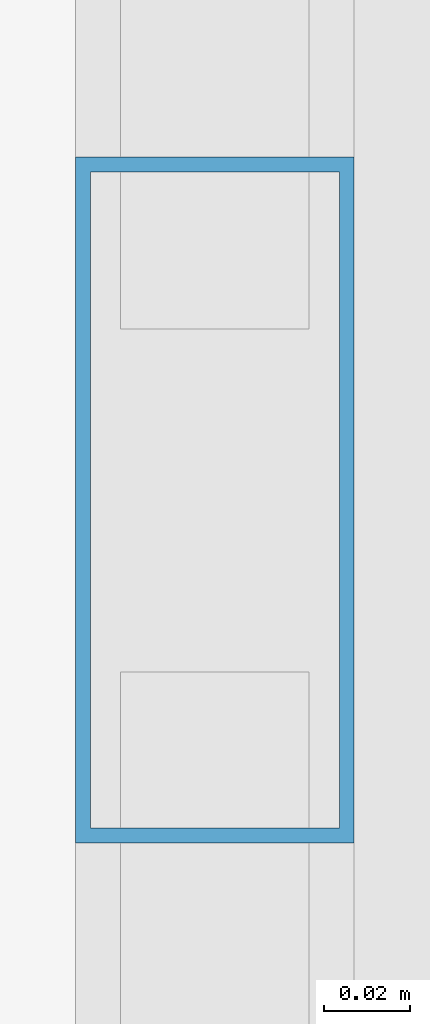
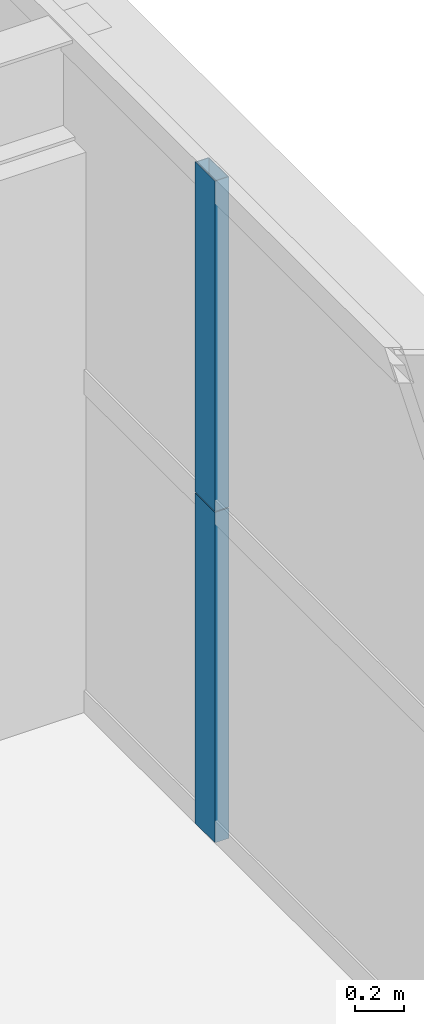
# One storey, part 18 of 38: 2 members, 1 element without a shape of its own.
"""IFC4 building model written with IfcOpenShell, lengths in metres."""

from ifc_helpers import new_model, si_unit, direction, frame, origin, origin_2d, place, context, subcontext, project, spatial, hollow_rectangle, extrude, source, transform, mapped, material, layer, layer_set, material_profile, profile_set, type_object, element, aggregate, save


model = new_model("IFC4")

# Units and contexts
model_context = context("Model", 3, precision=1e-05, world=origin(), true_north=direction((0.0, 1.0)))
body_context = subcontext(model_context, "Body", "Model", "MODEL_VIEW")
ifc_project = project(units=[si_unit("LENGTHUNIT", "METRE"), si_unit("AREAUNIT", "SQUARE_METRE"), si_unit("VOLUMEUNIT", "CUBIC_METRE"), si_unit("PLANEANGLEUNIT", "RADIAN"), si_unit("MASSUNIT", "GRAM", prefix="KILO"), si_unit("THERMODYNAMICTEMPERATUREUNIT", "KELVIN"), si_unit("POWERUNIT", "WATT")], contexts=[model_context])

# Site, building, storey
site_placement = place(None, origin())
site = spatial("IfcSite", under=ifc_project, at=site_placement, CompositionType="ELEMENT")
building_placement = place(site_placement, origin())
building = spatial("IfcBuilding", under=site, at=building_placement, Name="Yuzanri Waterfront Tower", CompositionType="ELEMENT")
storey_placement = place(building_placement, frame((0.0, 0.0, 202.0)))
storey = spatial("IfcBuildingStorey", under=building, at=storey_placement, Name="L53", CompositionType="ELEMENT", Elevation=202.0)

# Curtain wall, members
ifc_material_1 = material(Name="Anodized Architectural Bronze", Category="metal")
ifc_layer = layer(ifc_material_1, 0.159912109375)
ifc_layer_set = layer_set([ifc_layer], Name="Anodized Architectural Bronze")
curtain_wall_type = type_object("IfcCurtainWallType", Name="Anodized Bronze Mid-Rise Residential Acoustic Unitized Curtain Wall 7200", PredefinedType="NOTDEFINED", material=ifc_layer_set)
curtain_wall_placement = place(storey_placement, origin())
curtain_wall = element("IfcCurtainWall", 1, at=curtain_wall_placement, inside=storey, type_object=curtain_wall_type, Name="L53 Curtain Wall CW-L53-EL", PredefinedType="NOTDEFINED")
ifc_material_2 = material(Name="Anodized Architectural Bronze", Category="metal")
ifc_material_profile = material_profile(ifc_material_2, hollow_rectangle(XDim=0.06494140625, YDim=0.159912109375, WallThickness=0.00341796875, at=origin_2d()), Name="CWM 65x160")
ifc_profile_set = profile_set([ifc_material_profile], Name="Anodized Architectural Bronze")
member_type = type_object("IfcMemberType", Name="Anodized Bronze Upper-Zone Curtain-Wall Mullion 65x160", PredefinedType="MULLION", material=ifc_profile_set)
shared_shape = source(origin(), body_context, "Body", "SweptSolid", [
    extrude(hollow_rectangle(XDim=0.06494140625, YDim=0.159912109375, WallThickness=0.00341796875, at=origin_2d()), origin(), (0.0, 0.0, 1.0), 1.637939453125),
])
member_1_placement = place(storey_placement, frame((58.949951171875, 18.22509765625, 0.0), z_axis=(0.0, 0.0, 1.0), x_axis=(1.0, 0.0, 0.0)))
member_1 = element("IfcMember", 2, at=member_1_placement, type_object=member_type, Name="CW-L53-EL Lower Mullion 01", PredefinedType="MULLION", context=body_context, shape_type="MappedRepresentation", body=[
    mapped(shared_shape, transform((0.0, 0.0, 0.0), scale=1.0)),
])
member_2_placement = place(storey_placement, frame((58.949951171875, 18.22509765625, 1.64208984375), z_axis=(0.0, 0.0, 1.0), x_axis=(1.0, 0.0, 0.0)))
member_2 = element("IfcMember", 3, at=member_2_placement, type_object=member_type, Name="CW-L53-EL Upper Mullion 01", PredefinedType="MULLION", context=body_context, shape_type="MappedRepresentation", body=[
    mapped(shared_shape, transform((0.0, 0.0, 0.0), scale=1.0)),
])
aggregate(curtain_wall, [member_1, member_2])

save(model, "model.ifc")
